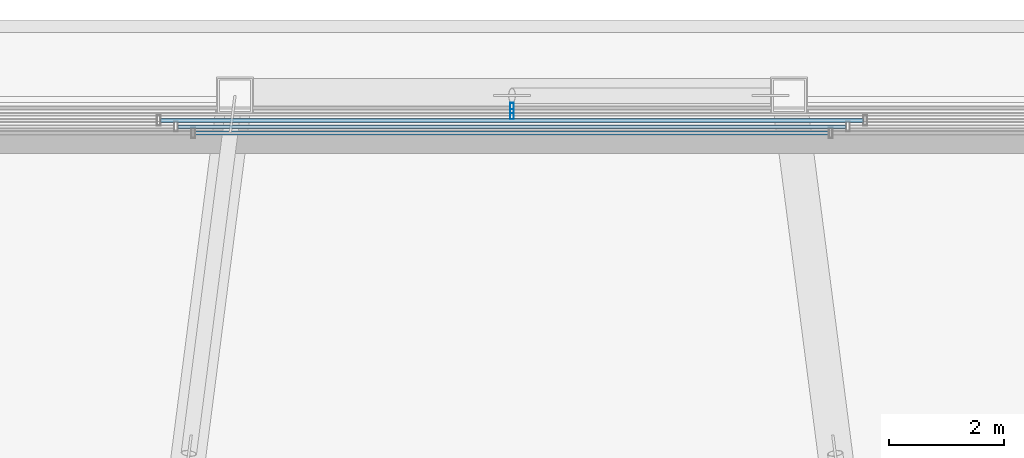
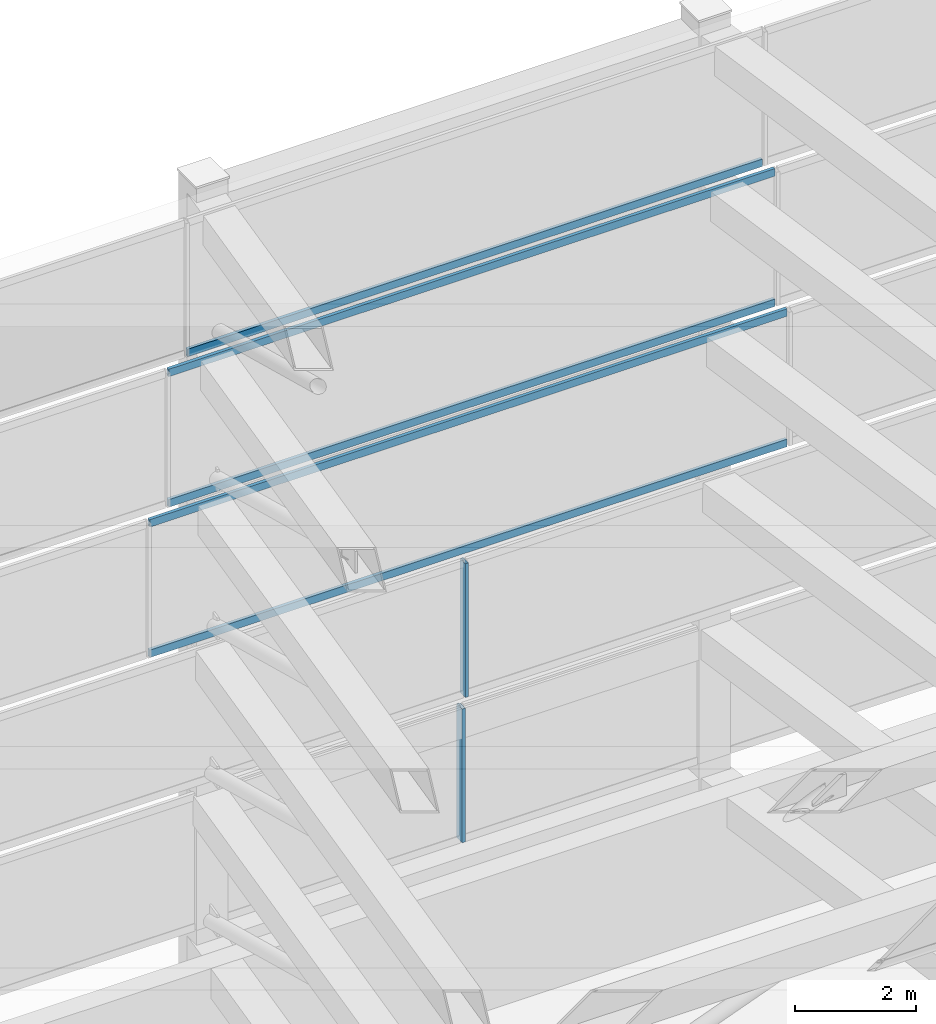
# One storey, part 16 of 29: 7 members, 5 elements without a shape of their own.
"""IFC4 building model written with IfcOpenShell, lengths in metres."""

from ifc_helpers import new_model, si_unit, direction, frame, origin, origin_2d, place, context, subcontext, project, spatial, hollow_rectangle, extrude, material, material_profile, profile_set, type_object, element, aggregate, save


model = new_model("IFC4")

# Units and contexts
model_context = context("Model", 3, precision=1e-05, world=origin(), true_north=direction((0.0, 1.0)))
body_context = subcontext(model_context, "Body", "Model", "MODEL_VIEW")
ifc_project = project(units=[si_unit("LENGTHUNIT", "METRE"), si_unit("AREAUNIT", "SQUARE_METRE"), si_unit("VOLUMEUNIT", "CUBIC_METRE"), si_unit("PLANEANGLEUNIT", "RADIAN"), si_unit("MASSUNIT", "GRAM", prefix="KILO")], contexts=[model_context])

# Site, building, storey
site_placement = place(None, origin())
site = spatial("IfcSite", under=ifc_project, at=site_placement, CompositionType="ELEMENT")
building_placement = place(site_placement, origin())
building = spatial("IfcBuilding", under=site, at=building_placement, Name="Saevonmaru Cultural Tower", CompositionType="ELEMENT")
storey_placement = place(building_placement, frame((0.0, 0.0, 327.60009765625)))
storey = spatial("IfcBuildingStorey", under=building, at=storey_placement, Name="RF", CompositionType="ELEMENT", Elevation=327.60009765625)

# Curtain wall, member
ifc_material = material(Name="Satin Bronze Anodised Aluminium", Category="aluminium")
curtain_wall_type = type_object("IfcCurtainWallType", Name="CW-TYP-B", PredefinedType="NOTDEFINED", material=ifc_material)
curtain_wall_1_placement = place(storey_placement, origin())
curtain_wall_1 = element("IfcCurtainWall", 1, at=curtain_wall_1_placement, inside=storey, type_object=curtain_wall_type, Name="RF Ziggurat Crown Tier 2 Bronze Louvre Screen 3", PredefinedType="NOTDEFINED")
ifc_material_profile_1 = material_profile(ifc_material, hollow_rectangle(XDim=0.06494140625, YDim=0.179931640625, WallThickness=0.00390625, at=origin_2d()), Name="ALU-MULL-180x65x4")
ifc_profile_set_1 = profile_set([ifc_material_profile_1], Name="Satin Bronze Anodised Aluminium")
member_type_1 = type_object("IfcMemberType", Name="ML-CW-180x65", PredefinedType="MULLION", material=ifc_profile_set_1)
member_1_placement = place(storey_placement, frame((30.0, 54.583984375, 3.0), z_axis=(0.0, 0.0, 1.0), x_axis=(-1.0, 0.0, 0.0)))
member_1 = element("IfcMember", 2, at=member_1_placement, type_object=member_type_1, Name="CW-CROWN-T2-3 mullion 3", PredefinedType="MULLION", context=body_context, shape_type="SweptSolid", body=[
    extrude(hollow_rectangle(XDim=0.06494140625, YDim=0.179931640625, WallThickness=0.00390625, at=origin_2d()), origin(), (0.0, 0.0, 1.0), 2.699951171875),
])
aggregate(curtain_wall_1, [member_1])

curtain_wall_2_placement = place(storey_placement, origin())
curtain_wall_2 = element("IfcCurtainWall", 3, at=curtain_wall_2_placement, inside=storey, type_object=curtain_wall_type, Name="RF Ziggurat Crown Tier 3 Bronze Louvre Screen 3", PredefinedType="NOTDEFINED")
member_2_placement = place(storey_placement, frame((30.0, 54.47607421875, 6.0), z_axis=(0.0, 0.0, 1.0), x_axis=(-1.0, 0.0, 0.0)))
member_2 = element("IfcMember", 4, at=member_2_placement, type_object=member_type_1, Name="CW-CROWN-T3-3 mullion 3", PredefinedType="MULLION", context=body_context, shape_type="SweptSolid", body=[
    extrude(hollow_rectangle(XDim=0.06494140625, YDim=0.179931640625, WallThickness=0.00390625, at=origin_2d()), origin(), (0.0, 0.0, 1.0), 2.699951171875),
])
aggregate(curtain_wall_2, [member_2])

# Curtain wall, members
curtain_wall_3_placement = place(storey_placement, origin())
curtain_wall_3 = element("IfcCurtainWall", 5, at=curtain_wall_3_placement, inside=storey, type_object=curtain_wall_type, Name="RF Ziggurat Crown Tier 4 Bronze Louvre Screen 3", PredefinedType="NOTDEFINED")
ifc_material_profile_2 = material_profile(ifc_material, hollow_rectangle(XDim=0.06494140625, YDim=0.14990234375, WallThickness=0.00390625, at=origin_2d()), Name="ALU-TRAN-150x65x4")
ifc_profile_set_2 = profile_set([ifc_material_profile_2], Name="Satin Bronze Anodised Aluminium")
member_type_2 = type_object("IfcMemberType", Name="TR-CW-150x65", PredefinedType="USERDEFINED", material=ifc_profile_set_2)
member_3_placement = place(storey_placement, frame((36.08984375, 54.367919921875, 9.032470703125), z_axis=(-1.0, 0.0, 0.0), x_axis=(0.0, -1.0, 0.0)))
member_3 = element("IfcMember", 6, at=member_3_placement, type_object=member_type_2, Name="CW-CROWN-T4-3 transom 2.1", ObjectType="TRANSOM", PredefinedType="USERDEFINED", context=body_context, shape_type="SweptSolid", body=[
    extrude(hollow_rectangle(XDim=0.06494140625, YDim=0.14990234375, WallThickness=0.00390625, at=origin_2d()), origin(), (0.0, 0.0, 1.0), 12.1796875),
])
member_4_placement = place(storey_placement, frame((36.08984375, 54.367919921875, 11.66748046875), z_axis=(-1.0, 0.0, 0.0), x_axis=(0.0, -1.0, 0.0)))
member_4 = element("IfcMember", 7, at=member_4_placement, type_object=member_type_2, Name="CW-CROWN-T4-3 transom 2.2", ObjectType="TRANSOM", PredefinedType="USERDEFINED", context=body_context, shape_type="SweptSolid", body=[
    extrude(hollow_rectangle(XDim=0.06494140625, YDim=0.14990234375, WallThickness=0.00390625, at=origin_2d()), origin(), (0.0, 0.0, 1.0), 12.1796875),
])
aggregate(curtain_wall_3, [member_3, member_4])

curtain_wall_4_placement = place(storey_placement, origin())
curtain_wall_4 = element("IfcCurtainWall", 8, at=curtain_wall_4_placement, inside=storey, type_object=curtain_wall_type, Name="RF Ziggurat Crown Tier 5 Bronze Louvre Screen 3", PredefinedType="NOTDEFINED")
member_5_placement = place(storey_placement, frame((35.789794921875, 54.260009765625, 12.032470703125), z_axis=(-1.0, 0.0, 0.0), x_axis=(0.0, -1.0, 0.0)))
member_5 = element("IfcMember", 9, at=member_5_placement, type_object=member_type_2, Name="CW-CROWN-T5-3 transom 2.1", ObjectType="TRANSOM", PredefinedType="USERDEFINED", context=body_context, shape_type="SweptSolid", body=[
    extrude(hollow_rectangle(XDim=0.06494140625, YDim=0.14990234375, WallThickness=0.00390625, at=origin_2d()), origin(), (0.0, 0.0, 1.0), 11.57958984375),
])
member_6_placement = place(storey_placement, frame((35.789794921875, 54.260009765625, 14.66748046875), z_axis=(-1.0, 0.0, 0.0), x_axis=(0.0, -1.0, 0.0)))
member_6 = element("IfcMember", 10, at=member_6_placement, type_object=member_type_2, Name="CW-CROWN-T5-3 transom 2.2", ObjectType="TRANSOM", PredefinedType="USERDEFINED", context=body_context, shape_type="SweptSolid", body=[
    extrude(hollow_rectangle(XDim=0.06494140625, YDim=0.14990234375, WallThickness=0.00390625, at=origin_2d()), origin(), (0.0, 0.0, 1.0), 11.57958984375),
])
aggregate(curtain_wall_4, [member_5, member_6])

# Curtain wall, member
curtain_wall_5_placement = place(storey_placement, origin())
curtain_wall_5 = element("IfcCurtainWall", 11, at=curtain_wall_5_placement, inside=storey, type_object=curtain_wall_type, Name="RF Ziggurat Crown Tier 6 Bronze Louvre Screen 3", PredefinedType="NOTDEFINED")
member_7_placement = place(storey_placement, frame((35.48974609375, 54.152099609375, 15.032470703125), z_axis=(-1.0, 0.0, 0.0), x_axis=(0.0, -1.0, 0.0)))
member_7 = element("IfcMember", 12, at=member_7_placement, type_object=member_type_2, Name="CW-CROWN-T6-3 transom 2.1", ObjectType="TRANSOM", PredefinedType="USERDEFINED", context=body_context, shape_type="SweptSolid", body=[
    extrude(hollow_rectangle(XDim=0.06494140625, YDim=0.14990234375, WallThickness=0.00390625, at=origin_2d()), origin(), (0.0, 0.0, 1.0), 10.9794921875),
])
aggregate(curtain_wall_5, [member_7])

save(model, "model.ifc")
